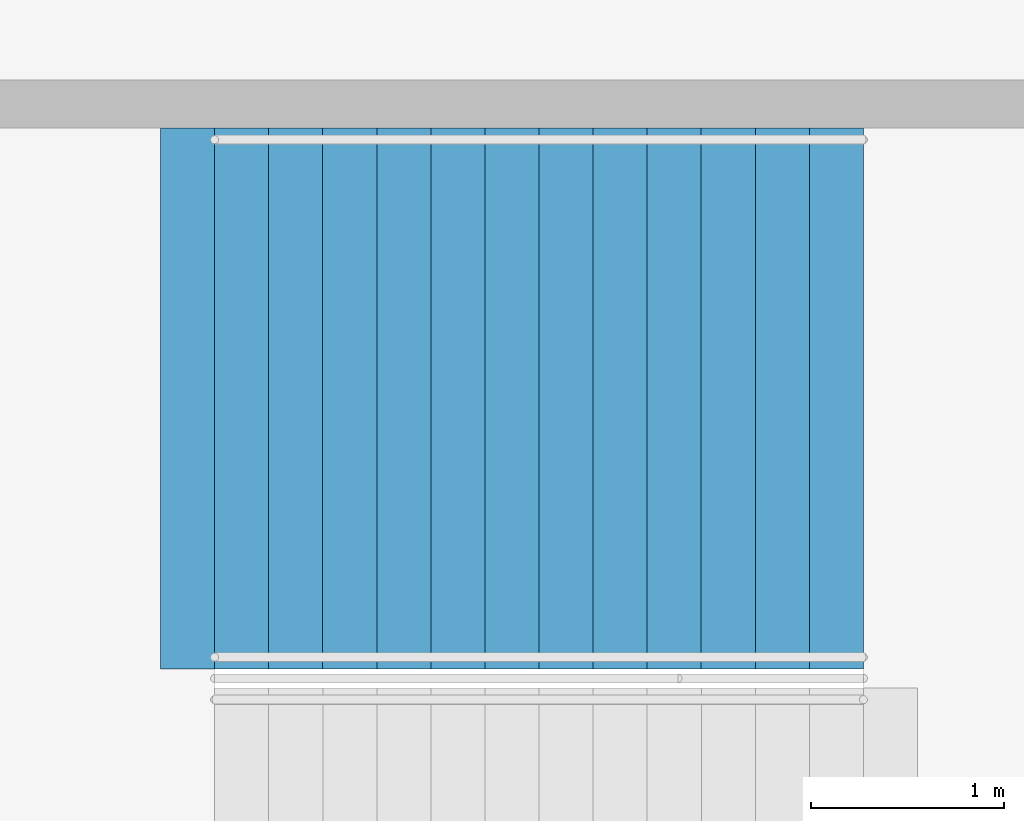
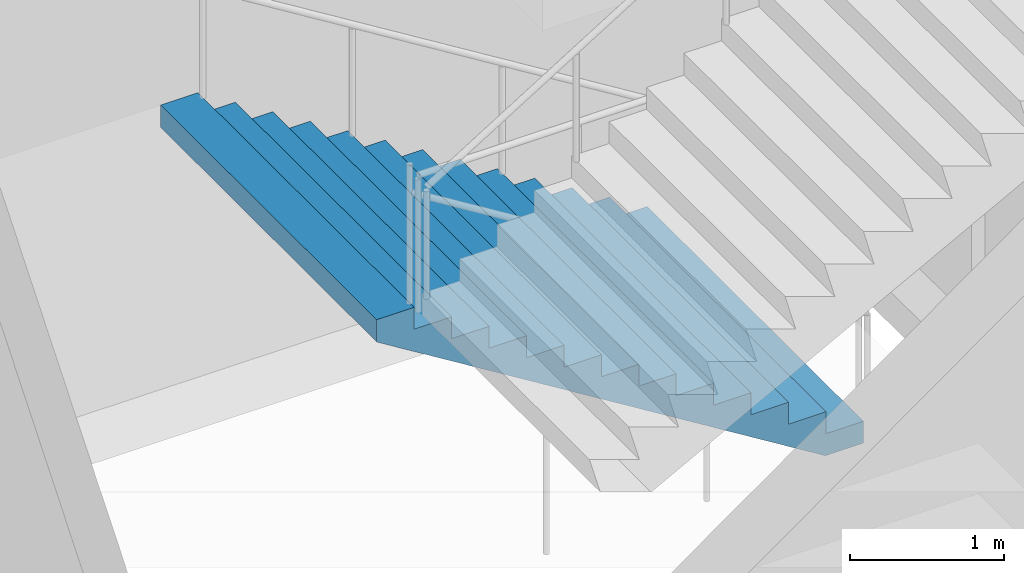
# One storey, part 189 of 249: 1 stair flight, 1 element without a shape of its own.
"""IFC4 building model written with IfcOpenShell, lengths in metres."""

from ifc_helpers import new_model, si_unit, direction, frame, origin, place, context, subcontext, project, spatial, faceted_brep, material, type_object, element, aggregate, save


model = new_model("IFC4")

# Units and contexts
model_context = context("Model", 3, precision=1e-05, world=origin(), true_north=direction((0.0, 1.0)))
body_context = subcontext(model_context, "Body", "Model", "MODEL_VIEW")
ifc_project = project(units=[si_unit("LENGTHUNIT", "METRE"), si_unit("AREAUNIT", "SQUARE_METRE"), si_unit("VOLUMEUNIT", "CUBIC_METRE"), si_unit("PLANEANGLEUNIT", "RADIAN"), si_unit("MASSUNIT", "GRAM", prefix="KILO")], contexts=[model_context])

# Site, building, storey
site_placement = place(None, origin())
site = spatial("IfcSite", under=ifc_project, at=site_placement, CompositionType="ELEMENT")
building_placement = place(site_placement, origin())
building = spatial("IfcBuilding", under=site, at=building_placement, Name="Ogive Plaza Stadium", CompositionType="ELEMENT")
storey_placement = place(building_placement, frame((0.0, 0.0, 13.5)))
storey = spatial("IfcBuildingStorey", under=building, at=storey_placement, Name="L03", CompositionType="ELEMENT", Elevation=13.5)

# Stair, stair flight
ifc_material_1 = material(Name="Concrete C40/50", Category="concrete")
stair_type = type_object("IfcStairType", Name="Exit stair", PredefinedType="STRAIGHT_RUN_STAIR", material=ifc_material_1)
stair_placement = place(storey_placement, origin())
stair = element("IfcStair", 1, at=stair_placement, inside=storey, type_object=stair_type, Name="Exit stair ST26A L03 to L04", PredefinedType="STRAIGHT_RUN_STAIR")
ifc_material_2 = material(Name="Concrete C40/50", Category="concrete")
stair_flight_type = type_object("IfcStairFlightType", Name="Exit stair flight", PredefinedType="STRAIGHT", material=ifc_material_2)
stair_flight_placement = place(storey_placement, frame((-76.35009765625, 26.925048828125, 0.0), z_axis=(0.0, 0.0, 1.0), x_axis=(-1.0, 0.0, 0.0)))
stair_flight = element("IfcStairFlight", 2, at=stair_flight_placement, type_object=stair_flight_type, Name="ST26A flight 1", NumberOfRisers=13, NumberOfTreads=12, PredefinedType="STRAIGHT", RiserHeight=0.173076923, TreadLength=0.28, context=body_context, shape_type="Brep", body=[
    faceted_brep([(0.28515625, -1.39990234375, 0.0), (3.639892578125, -1.39990234375, 2.07373046875), (3.639892578125, -1.39990234375, 2.25), (3.360107421875, -1.39990234375, 2.25), (3.360107421875, -1.39990234375, 2.076904296875), (3.080078125, -1.39990234375, 2.076904296875), (3.080078125, -1.39990234375, 1.90380859375), (2.800048828125, -1.39990234375, 1.90380859375), (2.800048828125, -1.39990234375, 1.730712890625), (2.52001953125, -1.39990234375, 1.730712890625), (2.52001953125, -1.39990234375, 1.5576171875), (2.239990234375, -1.39990234375, 1.5576171875), (2.239990234375, -1.39990234375, 1.384521484375), (1.9599609375, -1.39990234375, 1.384521484375), (1.9599609375, -1.39990234375, 1.21142578125), (1.679931640625, -1.39990234375, 1.21142578125), (1.679931640625, -1.39990234375, 1.03857421875), (1.39990234375, -1.39990234375, 1.03857421875), (1.39990234375, -1.39990234375, 0.865478515625), (1.1201171875, -1.39990234375, 0.865478515625), (1.1201171875, -1.39990234375, 0.6923828125), (0.840087890625, -1.39990234375, 0.6923828125), (0.840087890625, -1.39990234375, 0.519287109375), (0.56005859375, -1.39990234375, 0.519287109375), (0.56005859375, -1.39990234375, 0.34619140625), (0.280029296875, -1.39990234375, 0.34619140625), (0.280029296875, -1.39990234375, 0.173095703125), (0.0, -1.39990234375, 0.173095703125), (0.0, -1.39990234375, 0.0), (0.0, 1.39990234375, 0.0), (0.0, 1.39990234375, 0.173095703125), (0.280029296875, 1.39990234375, 0.173095703125), (0.280029296875, 1.39990234375, 0.34619140625), (0.56005859375, 1.39990234375, 0.34619140625), (0.56005859375, 1.39990234375, 0.519287109375), (0.840087890625, 1.39990234375, 0.519287109375), (0.840087890625, 1.39990234375, 0.6923828125), (1.1201171875, 1.39990234375, 0.6923828125), (1.1201171875, 1.39990234375, 0.865478515625), (1.39990234375, 1.39990234375, 0.865478515625), (1.39990234375, 1.39990234375, 1.03857421875), (1.679931640625, 1.39990234375, 1.03857421875), (1.679931640625, 1.39990234375, 1.21142578125), (1.9599609375, 1.39990234375, 1.21142578125), (1.9599609375, 1.39990234375, 1.384521484375), (2.239990234375, 1.39990234375, 1.384521484375), (2.239990234375, 1.39990234375, 1.5576171875), (2.52001953125, 1.39990234375, 1.5576171875), (2.52001953125, 1.39990234375, 1.730712890625), (2.800048828125, 1.39990234375, 1.730712890625), (2.800048828125, 1.39990234375, 1.90380859375), (3.080078125, 1.39990234375, 1.90380859375), (3.080078125, 1.39990234375, 2.076904296875), (3.360107421875, 1.39990234375, 2.076904296875), (3.360107421875, 1.39990234375, 2.25), (3.639892578125, 1.39990234375, 2.25), (3.639892578125, 1.39990234375, 2.07373046875), (0.28515625, 1.39990234375, 0.0), (0.28515625, -1.0888671875, 0.0), (3.639892578125, -1.0888671875, 2.07373046875), (0.28515625, -0.77783203125, 0.0), (3.639892578125, -0.77783203125, 2.07373046875), (0.28515625, -0.466796875, 0.0), (3.639892578125, -0.466796875, 2.07373046875), (0.28515625, -0.155517578125, 0.0), (3.639892578125, -0.155517578125, 2.07373046875), (0.28515625, 0.155517578125, 0.0), (3.639892578125, 0.155517578125, 2.07373046875), (0.28515625, 0.466796875, 0.0), (3.639892578125, 0.466796875, 2.07373046875), (0.28515625, 0.77783203125, 0.0), (3.639892578125, 0.77783203125, 2.07373046875), (0.28515625, 1.0888671875, 0.0), (3.639892578125, 1.0888671875, 2.07373046875), (3.639892578125, -1.0888671875, 2.25), (3.639892578125, -0.77783203125, 2.25), (3.639892578125, -0.466796875, 2.25), (3.639892578125, -0.155517578125, 2.25), (3.639892578125, 0.155517578125, 2.25), (3.639892578125, 0.466796875, 2.25), (3.639892578125, 0.77783203125, 2.25), (3.639892578125, 1.0888671875, 2.25), (3.360107421875, -1.0888671875, 2.25), (3.360107421875, -0.77783203125, 2.25), (3.360107421875, -0.466796875, 2.25), (3.360107421875, -0.155517578125, 2.25), (3.360107421875, 0.155517578125, 2.25), (3.360107421875, 0.466796875, 2.25), (3.360107421875, 0.77783203125, 2.25), (3.360107421875, 1.0888671875, 2.25), (3.360107421875, -1.0888671875, 2.076904296875), (3.360107421875, -0.77783203125, 2.076904296875), (3.360107421875, -0.466796875, 2.076904296875), (3.360107421875, -0.155517578125, 2.076904296875), (3.360107421875, 0.155517578125, 2.076904296875), (3.360107421875, 0.466796875, 2.076904296875), (3.360107421875, 0.77783203125, 2.076904296875), (3.360107421875, 1.0888671875, 2.076904296875), (3.080078125, -1.0888671875, 2.076904296875), (3.080078125, -0.77783203125, 2.076904296875), (3.080078125, -0.466796875, 2.076904296875), (3.080078125, -0.155517578125, 2.076904296875), (3.080078125, 0.155517578125, 2.076904296875), (3.080078125, 0.466796875, 2.076904296875), (3.080078125, 0.77783203125, 2.076904296875), (3.080078125, 1.0888671875, 2.076904296875), (3.080078125, -1.0888671875, 1.90380859375), (3.080078125, -0.77783203125, 1.90380859375), (3.080078125, -0.466796875, 1.90380859375), (3.080078125, -0.155517578125, 1.90380859375), (3.080078125, 0.155517578125, 1.90380859375), (3.080078125, 0.466796875, 1.90380859375), (3.080078125, 0.77783203125, 1.90380859375), (3.080078125, 1.0888671875, 1.90380859375), (2.800048828125, -1.0888671875, 1.90380859375), (2.800048828125, -0.77783203125, 1.90380859375), (2.800048828125, -0.466796875, 1.90380859375), (2.800048828125, -0.155517578125, 1.90380859375), (2.800048828125, 0.155517578125, 1.90380859375), (2.800048828125, 0.466796875, 1.90380859375), (2.800048828125, 0.77783203125, 1.90380859375), (2.800048828125, 1.0888671875, 1.90380859375), (2.800048828125, -1.0888671875, 1.730712890625), (2.800048828125, -0.77783203125, 1.730712890625), (2.800048828125, -0.466796875, 1.730712890625), (2.800048828125, -0.155517578125, 1.730712890625), (2.800048828125, 0.155517578125, 1.730712890625), (2.800048828125, 0.466796875, 1.730712890625), (2.800048828125, 0.77783203125, 1.730712890625), (2.800048828125, 1.0888671875, 1.730712890625), (2.52001953125, -1.0888671875, 1.730712890625), (2.52001953125, -0.77783203125, 1.730712890625), (2.52001953125, -0.466796875, 1.730712890625), (2.52001953125, -0.155517578125, 1.730712890625), (2.52001953125, 0.155517578125, 1.730712890625), (2.52001953125, 0.466796875, 1.730712890625), (2.52001953125, 0.77783203125, 1.730712890625), (2.52001953125, 1.0888671875, 1.730712890625), (2.52001953125, -1.0888671875, 1.5576171875), (2.52001953125, -0.77783203125, 1.5576171875), (2.52001953125, -0.466796875, 1.5576171875), (2.52001953125, -0.155517578125, 1.5576171875), (2.52001953125, 0.155517578125, 1.5576171875), (2.52001953125, 0.466796875, 1.5576171875), (2.52001953125, 0.77783203125, 1.5576171875), (2.52001953125, 1.0888671875, 1.5576171875), (2.239990234375, -1.0888671875, 1.5576171875), (2.239990234375, -0.77783203125, 1.5576171875), (2.239990234375, -0.466796875, 1.5576171875), (2.239990234375, -0.155517578125, 1.5576171875), (2.239990234375, 0.155517578125, 1.5576171875), (2.239990234375, 0.466796875, 1.5576171875), (2.239990234375, 0.77783203125, 1.5576171875), (2.239990234375, 1.0888671875, 1.5576171875), (2.239990234375, -1.0888671875, 1.384521484375), (2.239990234375, -0.77783203125, 1.384521484375), (2.239990234375, -0.466796875, 1.384521484375), (2.239990234375, -0.155517578125, 1.384521484375), (2.239990234375, 0.155517578125, 1.384521484375), (2.239990234375, 0.466796875, 1.384521484375), (2.239990234375, 0.77783203125, 1.384521484375), (2.239990234375, 1.0888671875, 1.384521484375), (1.9599609375, -1.0888671875, 1.384521484375), (1.9599609375, -0.77783203125, 1.384521484375), (1.9599609375, -0.466796875, 1.384521484375), (1.9599609375, -0.155517578125, 1.384521484375), (1.9599609375, 0.155517578125, 1.384521484375), (1.9599609375, 0.466796875, 1.384521484375), (1.9599609375, 0.77783203125, 1.384521484375), (1.9599609375, 1.0888671875, 1.384521484375), (1.9599609375, -1.0888671875, 1.21142578125), (1.9599609375, -0.77783203125, 1.21142578125), (1.9599609375, -0.466796875, 1.21142578125), (1.9599609375, -0.155517578125, 1.21142578125), (1.9599609375, 0.155517578125, 1.21142578125), (1.9599609375, 0.466796875, 1.21142578125), (1.9599609375, 0.77783203125, 1.21142578125), (1.9599609375, 1.0888671875, 1.21142578125), (1.679931640625, -1.0888671875, 1.21142578125), (1.679931640625, -0.77783203125, 1.21142578125), (1.679931640625, -0.466796875, 1.21142578125), (1.679931640625, -0.155517578125, 1.21142578125), (1.679931640625, 0.155517578125, 1.21142578125), (1.679931640625, 0.466796875, 1.21142578125), (1.679931640625, 0.77783203125, 1.21142578125), (1.679931640625, 1.0888671875, 1.21142578125), (1.679931640625, -1.0888671875, 1.03857421875), (1.679931640625, -0.77783203125, 1.03857421875), (1.679931640625, -0.466796875, 1.03857421875), (1.679931640625, -0.155517578125, 1.03857421875), (1.679931640625, 0.155517578125, 1.03857421875), (1.679931640625, 0.466796875, 1.03857421875), (1.679931640625, 0.77783203125, 1.03857421875), (1.679931640625, 1.0888671875, 1.03857421875), (1.39990234375, -1.0888671875, 1.03857421875), (1.39990234375, -0.77783203125, 1.03857421875), (1.39990234375, -0.466796875, 1.03857421875), (1.39990234375, -0.155517578125, 1.03857421875), (1.39990234375, 0.155517578125, 1.03857421875), (1.39990234375, 0.466796875, 1.03857421875), (1.39990234375, 0.77783203125, 1.03857421875), (1.39990234375, 1.0888671875, 1.03857421875), (1.39990234375, -1.0888671875, 0.865478515625), (1.39990234375, -0.77783203125, 0.865478515625), (1.39990234375, -0.466796875, 0.865478515625), (1.39990234375, -0.155517578125, 0.865478515625), (1.39990234375, 0.155517578125, 0.865478515625), (1.39990234375, 0.466796875, 0.865478515625), (1.39990234375, 0.77783203125, 0.865478515625), (1.39990234375, 1.0888671875, 0.865478515625), (1.1201171875, -1.0888671875, 0.865478515625), (1.1201171875, -0.77783203125, 0.865478515625), (1.1201171875, -0.466796875, 0.865478515625), (1.1201171875, -0.155517578125, 0.865478515625), (1.1201171875, 0.155517578125, 0.865478515625), (1.1201171875, 0.466796875, 0.865478515625), (1.1201171875, 0.77783203125, 0.865478515625), (1.1201171875, 1.0888671875, 0.865478515625), (1.1201171875, -1.0888671875, 0.6923828125), (1.1201171875, -0.77783203125, 0.6923828125), (1.1201171875, -0.466796875, 0.6923828125), (1.1201171875, -0.155517578125, 0.6923828125), (1.1201171875, 0.155517578125, 0.6923828125), (1.1201171875, 0.466796875, 0.6923828125), (1.1201171875, 0.77783203125, 0.6923828125), (1.1201171875, 1.0888671875, 0.6923828125), (0.840087890625, -1.0888671875, 0.6923828125), (0.840087890625, -0.77783203125, 0.6923828125), (0.840087890625, -0.466796875, 0.6923828125), (0.840087890625, -0.155517578125, 0.6923828125), (0.840087890625, 0.155517578125, 0.6923828125), (0.840087890625, 0.466796875, 0.6923828125), (0.840087890625, 0.77783203125, 0.6923828125), (0.840087890625, 1.0888671875, 0.6923828125), (0.840087890625, -1.0888671875, 0.519287109375), (0.840087890625, -0.77783203125, 0.519287109375), (0.840087890625, -0.466796875, 0.519287109375), (0.840087890625, -0.155517578125, 0.519287109375), (0.840087890625, 0.155517578125, 0.519287109375), (0.840087890625, 0.466796875, 0.519287109375), (0.840087890625, 0.77783203125, 0.519287109375), (0.840087890625, 1.0888671875, 0.519287109375), (0.56005859375, -1.0888671875, 0.519287109375), (0.56005859375, -0.77783203125, 0.519287109375), (0.56005859375, -0.466796875, 0.519287109375), (0.56005859375, -0.155517578125, 0.519287109375), (0.56005859375, 0.155517578125, 0.519287109375), (0.56005859375, 0.466796875, 0.519287109375), (0.56005859375, 0.77783203125, 0.519287109375), (0.56005859375, 1.0888671875, 0.519287109375), (0.56005859375, -1.0888671875, 0.34619140625), (0.56005859375, -0.77783203125, 0.34619140625), (0.56005859375, -0.466796875, 0.34619140625), (0.56005859375, -0.155517578125, 0.34619140625), (0.56005859375, 0.155517578125, 0.34619140625), (0.56005859375, 0.466796875, 0.34619140625), (0.56005859375, 0.77783203125, 0.34619140625), (0.56005859375, 1.0888671875, 0.34619140625), (0.280029296875, -1.0888671875, 0.34619140625), (0.280029296875, -0.77783203125, 0.34619140625), (0.280029296875, -0.466796875, 0.34619140625), (0.280029296875, -0.155517578125, 0.34619140625), (0.280029296875, 0.155517578125, 0.34619140625), (0.280029296875, 0.466796875, 0.34619140625), (0.280029296875, 0.77783203125, 0.34619140625), (0.280029296875, 1.0888671875, 0.34619140625), (0.280029296875, -1.0888671875, 0.173095703125), (0.280029296875, -0.77783203125, 0.173095703125), (0.280029296875, -0.466796875, 0.173095703125), (0.280029296875, -0.155517578125, 0.173095703125), (0.280029296875, 0.155517578125, 0.173095703125), (0.280029296875, 0.466796875, 0.173095703125), (0.280029296875, 0.77783203125, 0.173095703125), (0.280029296875, 1.0888671875, 0.173095703125), (0.0, -1.0888671875, 0.173095703125), (0.0, -0.77783203125, 0.173095703125), (0.0, -0.466796875, 0.173095703125), (0.0, -0.155517578125, 0.173095703125), (0.0, 0.155517578125, 0.173095703125), (0.0, 0.466796875, 0.173095703125), (0.0, 0.77783203125, 0.173095703125), (0.0, 1.0888671875, 0.173095703125), (0.0, -1.0888671875, 0.0), (0.0, -0.77783203125, 0.0), (0.0, -0.466796875, 0.0), (0.0, -0.155517578125, 0.0), (0.0, 0.155517578125, 0.0), (0.0, 0.466796875, 0.0), (0.0, 0.77783203125, 0.0), (0.0, 1.0888671875, 0.0)], [[[0, 1, 2, 3, 4, 5, 6, 7, 8, 9, 10, 11, 12, 13, 14, 15, 16, 17, 18, 19, 20, 21, 22, 23, 24, 25, 26, 27, 28]], [[29, 30, 31, 32, 33, 34, 35, 36, 37, 38, 39, 40, 41, 42, 43, 44, 45, 46, 47, 48, 49, 50, 51, 52, 53, 54, 55, 56, 57]], [[0, 58, 59, 1]], [[58, 60, 61, 59]], [[60, 62, 63, 61]], [[62, 64, 65, 63]], [[64, 66, 67, 65]], [[66, 68, 69, 67]], [[68, 70, 71, 69]], [[70, 72, 73, 71]], [[72, 57, 56, 73]], [[1, 59, 74, 2]], [[59, 61, 75, 74]], [[61, 63, 76, 75]], [[63, 65, 77, 76]], [[65, 67, 78, 77]], [[67, 69, 79, 78]], [[69, 71, 80, 79]], [[71, 73, 81, 80]], [[73, 56, 55, 81]], [[2, 74, 82, 3]], [[74, 75, 83, 82]], [[75, 76, 84, 83]], [[76, 77, 85, 84]], [[77, 78, 86, 85]], [[78, 79, 87, 86]], [[79, 80, 88, 87]], [[80, 81, 89, 88]], [[81, 55, 54, 89]], [[3, 82, 90, 4]], [[82, 83, 91, 90]], [[83, 84, 92, 91]], [[84, 85, 93, 92]], [[85, 86, 94, 93]], [[86, 87, 95, 94]], [[87, 88, 96, 95]], [[88, 89, 97, 96]], [[89, 54, 53, 97]], [[4, 90, 98, 5]], [[90, 91, 99, 98]], [[91, 92, 100, 99]], [[92, 93, 101, 100]], [[93, 94, 102, 101]], [[94, 95, 103, 102]], [[95, 96, 104, 103]], [[96, 97, 105, 104]], [[97, 53, 52, 105]], [[5, 98, 106, 6]], [[98, 99, 107, 106]], [[99, 100, 108, 107]], [[100, 101, 109, 108]], [[101, 102, 110, 109]], [[102, 103, 111, 110]], [[103, 104, 112, 111]], [[104, 105, 113, 112]], [[105, 52, 51, 113]], [[6, 106, 114, 7]], [[106, 107, 115, 114]], [[107, 108, 116, 115]], [[108, 109, 117, 116]], [[109, 110, 118, 117]], [[110, 111, 119, 118]], [[111, 112, 120, 119]], [[112, 113, 121, 120]], [[113, 51, 50, 121]], [[7, 114, 122, 8]], [[114, 115, 123, 122]], [[115, 116, 124, 123]], [[116, 117, 125, 124]], [[117, 118, 126, 125]], [[118, 119, 127, 126]], [[119, 120, 128, 127]], [[120, 121, 129, 128]], [[121, 50, 49, 129]], [[8, 122, 130, 9]], [[122, 123, 131, 130]], [[123, 124, 132, 131]], [[124, 125, 133, 132]], [[125, 126, 134, 133]], [[126, 127, 135, 134]], [[127, 128, 136, 135]], [[128, 129, 137, 136]], [[129, 49, 48, 137]], [[9, 130, 138, 10]], [[130, 131, 139, 138]], [[131, 132, 140, 139]], [[132, 133, 141, 140]], [[133, 134, 142, 141]], [[134, 135, 143, 142]], [[135, 136, 144, 143]], [[136, 137, 145, 144]], [[137, 48, 47, 145]], [[10, 138, 146, 11]], [[138, 139, 147, 146]], [[139, 140, 148, 147]], [[140, 141, 149, 148]], [[141, 142, 150, 149]], [[142, 143, 151, 150]], [[143, 144, 152, 151]], [[144, 145, 153, 152]], [[145, 47, 46, 153]], [[11, 146, 154, 12]], [[146, 147, 155, 154]], [[147, 148, 156, 155]], [[148, 149, 157, 156]], [[149, 150, 158, 157]], [[150, 151, 159, 158]], [[151, 152, 160, 159]], [[152, 153, 161, 160]], [[153, 46, 45, 161]], [[12, 154, 162, 13]], [[154, 155, 163, 162]], [[155, 156, 164, 163]], [[156, 157, 165, 164]], [[157, 158, 166, 165]], [[158, 159, 167, 166]], [[159, 160, 168, 167]], [[160, 161, 169, 168]], [[161, 45, 44, 169]], [[13, 162, 170, 14]], [[162, 163, 171, 170]], [[163, 164, 172, 171]], [[164, 165, 173, 172]], [[165, 166, 174, 173]], [[166, 167, 175, 174]], [[167, 168, 176, 175]], [[168, 169, 177, 176]], [[169, 44, 43, 177]], [[14, 170, 178, 15]], [[170, 171, 179, 178]], [[171, 172, 180, 179]], [[172, 173, 181, 180]], [[173, 174, 182, 181]], [[174, 175, 183, 182]], [[175, 176, 184, 183]], [[176, 177, 185, 184]], [[177, 43, 42, 185]], [[15, 178, 186, 16]], [[178, 179, 187, 186]], [[179, 180, 188, 187]], [[180, 181, 189, 188]], [[181, 182, 190, 189]], [[182, 183, 191, 190]], [[183, 184, 192, 191]], [[184, 185, 193, 192]], [[185, 42, 41, 193]], [[16, 186, 194, 17]], [[186, 187, 195, 194]], [[187, 188, 196, 195]], [[188, 189, 197, 196]], [[189, 190, 198, 197]], [[190, 191, 199, 198]], [[191, 192, 200, 199]], [[192, 193, 201, 200]], [[193, 41, 40, 201]], [[17, 194, 202, 18]], [[194, 195, 203, 202]], [[195, 196, 204, 203]], [[196, 197, 205, 204]], [[197, 198, 206, 205]], [[198, 199, 207, 206]], [[199, 200, 208, 207]], [[200, 201, 209, 208]], [[201, 40, 39, 209]], [[18, 202, 210, 19]], [[202, 203, 211, 210]], [[203, 204, 212, 211]], [[204, 205, 213, 212]], [[205, 206, 214, 213]], [[206, 207, 215, 214]], [[207, 208, 216, 215]], [[208, 209, 217, 216]], [[209, 39, 38, 217]], [[19, 210, 218, 20]], [[210, 211, 219, 218]], [[211, 212, 220, 219]], [[212, 213, 221, 220]], [[213, 214, 222, 221]], [[214, 215, 223, 222]], [[215, 216, 224, 223]], [[216, 217, 225, 224]], [[217, 38, 37, 225]], [[20, 218, 226, 21]], [[218, 219, 227, 226]], [[219, 220, 228, 227]], [[220, 221, 229, 228]], [[221, 222, 230, 229]], [[222, 223, 231, 230]], [[223, 224, 232, 231]], [[224, 225, 233, 232]], [[225, 37, 36, 233]], [[21, 226, 234, 22]], [[226, 227, 235, 234]], [[227, 228, 236, 235]], [[228, 229, 237, 236]], [[229, 230, 238, 237]], [[230, 231, 239, 238]], [[231, 232, 240, 239]], [[232, 233, 241, 240]], [[233, 36, 35, 241]], [[22, 234, 242, 23]], [[234, 235, 243, 242]], [[235, 236, 244, 243]], [[236, 237, 245, 244]], [[237, 238, 246, 245]], [[238, 239, 247, 246]], [[239, 240, 248, 247]], [[240, 241, 249, 248]], [[241, 35, 34, 249]], [[23, 242, 250, 24]], [[242, 243, 251, 250]], [[243, 244, 252, 251]], [[244, 245, 253, 252]], [[245, 246, 254, 253]], [[246, 247, 255, 254]], [[247, 248, 256, 255]], [[248, 249, 257, 256]], [[249, 34, 33, 257]], [[24, 250, 258, 25]], [[250, 251, 259, 258]], [[251, 252, 260, 259]], [[252, 253, 261, 260]], [[253, 254, 262, 261]], [[254, 255, 263, 262]], [[255, 256, 264, 263]], [[256, 257, 265, 264]], [[257, 33, 32, 265]], [[25, 258, 266, 26]], [[258, 259, 267, 266]], [[259, 260, 268, 267]], [[260, 261, 269, 268]], [[261, 262, 270, 269]], [[262, 263, 271, 270]], [[263, 264, 272, 271]], [[264, 265, 273, 272]], [[265, 32, 31, 273]], [[26, 266, 274, 27]], [[266, 267, 275, 274]], [[267, 268, 276, 275]], [[268, 269, 277, 276]], [[269, 270, 278, 277]], [[270, 271, 279, 278]], [[271, 272, 280, 279]], [[272, 273, 281, 280]], [[273, 31, 30, 281]], [[27, 274, 282, 28]], [[274, 275, 283, 282]], [[275, 276, 284, 283]], [[276, 277, 285, 284]], [[277, 278, 286, 285]], [[278, 279, 287, 286]], [[279, 280, 288, 287]], [[280, 281, 289, 288]], [[281, 30, 29, 289]], [[28, 282, 58, 0]], [[282, 283, 60, 58]], [[283, 284, 62, 60]], [[284, 285, 64, 62]], [[285, 286, 66, 64]], [[286, 287, 68, 66]], [[287, 288, 70, 68]], [[288, 289, 72, 70]], [[289, 29, 57, 72]]]),
])
aggregate(stair, [stair_flight])

save(model, "model.ifc")
